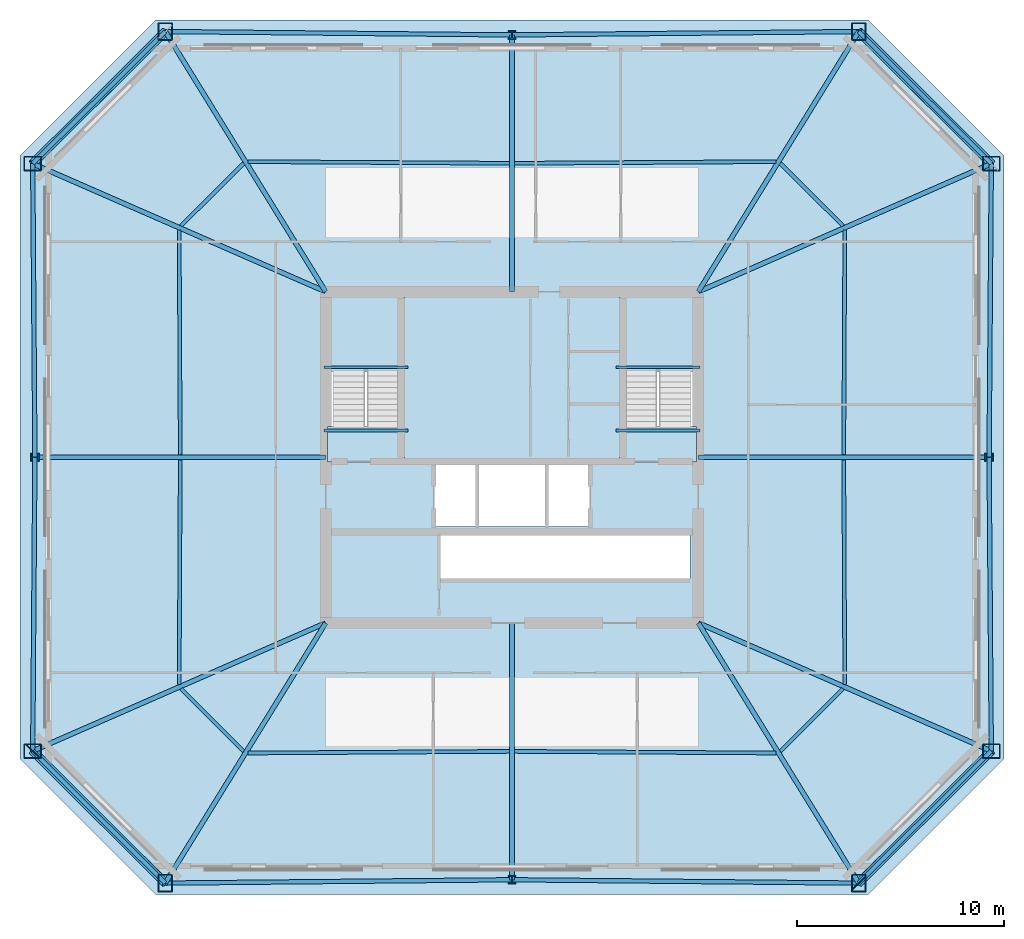
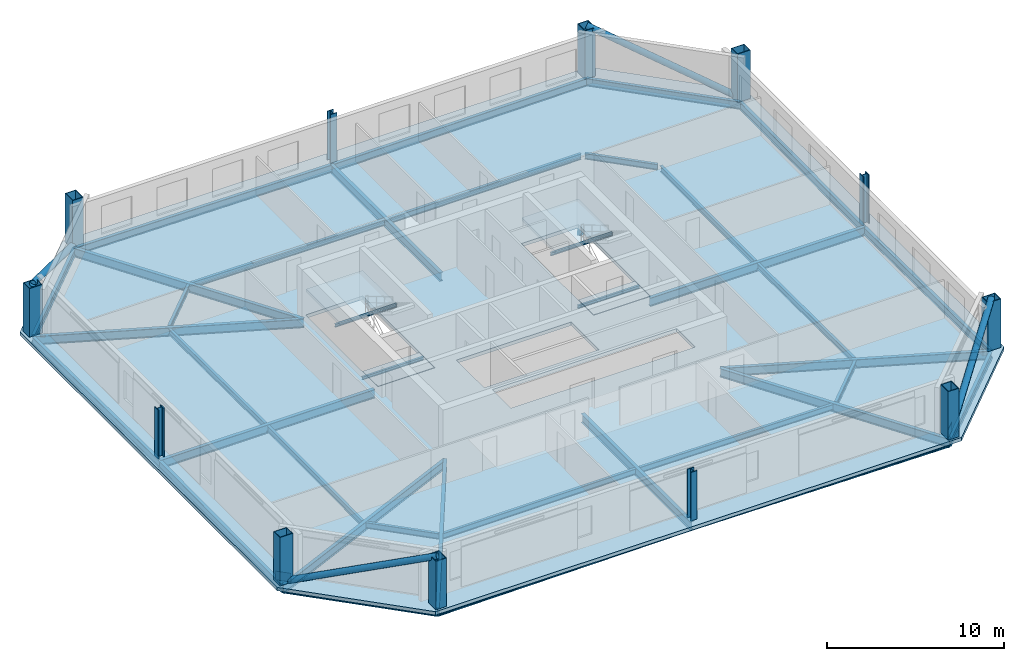
# One storey, part 1 of 7: 40 beams, 12 columns, 5 slabs, 4 members, 2 plates, 2 elements without a shape of their own.
"""IFC4 building model written with IfcOpenShell, lengths in metres."""

from ifc_helpers import new_model, si_unit, direction, frame, origin, origin_2d, place, context, subcontext, project, spatial, polyline, rectangle, hollow_rectangle, hollow_circle, i_section, outline, extrude, material, layer, layer_set, material_profile, profile_set, type_object, element, aggregate, save


model = new_model("IFC4")

# Units and contexts
model_context = context("Model", 3, precision=1e-05, world=origin(), true_north=direction((0.0, 1.0)))
body_context = subcontext(model_context, "Body", "Model", "MODEL_VIEW")
ifc_project = project(units=[si_unit("LENGTHUNIT", "METRE"), si_unit("AREAUNIT", "SQUARE_METRE"), si_unit("VOLUMEUNIT", "CUBIC_METRE"), si_unit("PLANEANGLEUNIT", "RADIAN"), si_unit("MASSUNIT", "GRAM", prefix="KILO")], contexts=[model_context])

# Site, building, storey
site_placement = place(None, origin())
site = spatial("IfcSite", under=ifc_project, at=site_placement, CompositionType="ELEMENT")
building_placement = place(site_placement, origin())
building = spatial("IfcBuilding", under=site, at=building_placement, Name="Caelvoria Tower", CompositionType="ELEMENT")
storey_placement = place(building_placement, frame((0.0, 0.0, 177.0)))
storey = spatial("IfcBuildingStorey", under=building, at=storey_placement, Name="L46", CompositionType="ELEMENT", Elevation=177.0)

# Columns
ifc_material_1 = material(Name="Structural Steel ASTM A572 Gr.50", Category="steel")
ifc_material_profile_1 = material_profile(ifc_material_1, hollow_rectangle(XDim=0.699951171875, YDim=0.85009765625, WallThickness=0.0400390625, at=origin_2d()), Name="Structural Steel ASTM A572 Gr.50")
ifc_profile_set_1 = profile_set([ifc_material_profile_1], Name="BOX850X700X40 - Structural Steel ASTM A572 Gr.50")
column_type_1 = type_object("IfcColumnType", Name="Mega Box Column 850x700x40", PredefinedType="COLUMN", material=ifc_profile_set_1)
for number, where, z_axis, x_axis, name in (
    (1, (29.254638671875, 11.438232421875, 0.0), (0.0, 0.0, 1.0), (1.0, 0.0, 0.0), "Perimeter Megaframe Column L46-P00"),
    (2, (62.745361328125, 11.438232421875, 0.0), (0.0, 0.0, 1.0), (1.0, 0.0, 0.0), "Perimeter Megaframe Column L46-P02"),
    (3, (69.14599609375, 17.816162109375, 0.0), (0.0, 0.0, 1.0), (0.0, 1.0, 0.0), "Perimeter Megaframe Column L46-P03"),
    (4, (69.14599609375, 46.183837890625, 0.0), (0.0, 0.0, 1.0), (0.0, 1.0, 0.0), "Perimeter Megaframe Column L46-P05"),
    (5, (62.745361328125, 52.561767578125, 0.0), (0.0, 0.0, 1.0), (1.0, 0.0, 0.0), "Perimeter Megaframe Column L46-P06"),
    (6, (29.254638671875, 52.561767578125, 0.0), (0.0, 0.0, 1.0), (1.0, 0.0, 0.0), "Perimeter Megaframe Column L46-P08"),
    (7, (22.85400390625, 46.183837890625, 0.0), (0.0, 0.0, 1.0), (0.0, 1.0, 0.0), "Perimeter Megaframe Column L46-P09"),
    (8, (22.85400390625, 17.816162109375, 0.0), (0.0, 0.0, 1.0), (0.0, 1.0, 0.0), "Perimeter Megaframe Column L46-P11"),
):
    element("IfcColumn", number, at=place(storey_placement, frame(where, z_axis=z_axis, x_axis=x_axis)), inside=storey, type_object=column_type_1, Name=name, PredefinedType="COLUMN", context=body_context, shape_type="SweptSolid", body=[
        extrude(hollow_rectangle(XDim=0.699951171875, YDim=0.85009765625, WallThickness=0.0400390625, at=origin_2d()), origin(), (0.0, 0.0, 1.0), 3.35791015625),
    ])
ifc_material_2 = material(Name="Structural Steel ASTM A992 Gr.50", Category="steel")
ifc_material_profile_2 = material_profile(ifc_material_2, i_section(OverallWidth=0.406005859375, OverallDepth=0.425048828125, WebThickness=0.03271484375, FlangeThickness=0.052490234375, FilletRadius=0.02490234375, at=origin_2d()), Name="Structural Steel ASTM A992 Gr.50")
ifc_profile_set_2 = profile_set([ifc_material_profile_2], Name="W360X421 - Structural Steel ASTM A992 Gr.50")
column_type_2 = type_object("IfcColumnType", Name="Mid Frame Column W360X421", PredefinedType="COLUMN", material=ifc_profile_set_2)
for number, where, z_axis, x_axis, name in (
    (9, (46.0, 11.60009765625, 0.0), (0.0, 0.0, 1.0), (1.0, 0.0, 0.0), "Perimeter Megaframe Column L46-P01"),
    (10, (69.0400390625, 32.0, 0.0), (0.0, 0.0, 1.0), (0.0, 1.0, 0.0), "Perimeter Megaframe Column L46-P04"),
    (11, (46.0, 52.39990234375, 0.0), (0.0, 0.0, 1.0), (1.0, 0.0, 0.0), "Perimeter Megaframe Column L46-P07"),
    (12, (22.9599609375, 32.0, 0.0), (0.0, 0.0, 1.0), (0.0, 1.0, 0.0), "Perimeter Megaframe Column L46-P10"),
):
    element("IfcColumn", number, at=place(storey_placement, frame(where, z_axis=z_axis, x_axis=x_axis)), inside=storey, type_object=column_type_2, Name=name, PredefinedType="COLUMN", context=body_context, shape_type="SweptSolid", body=[
        extrude(i_section(OverallWidth=0.406005859375, OverallDepth=0.425048828125, WebThickness=0.03271484375, FlangeThickness=0.052490234375, FilletRadius=0.02490234375, at=origin_2d()), origin(), (0.0, 0.0, 1.0), 3.35791015625),
    ])

# Beams
ifc_material_profile_3 = material_profile(ifc_material_2, i_section(OverallWidth=0.134033203125, OverallDepth=0.2099609375, WebThickness=0.00634765625, FlangeThickness=0.01025390625, FilletRadius=0.010009765625, at=origin_2d()), Name="Structural Steel ASTM A992 Gr.50")
ifc_profile_set_3 = profile_set([ifc_material_profile_3], Name="W200X31.3 - Structural Steel ASTM A992 Gr.50")
beam_type_1 = type_object("IfcBeamType", Name="Canopy Edge Trim Beam W200X31.3", PredefinedType="BEAM", material=ifc_profile_set_3)
for number, where, z_axis, x_axis, name in (
    (13, (36.929931640625, 36.35009765625, 1.4951171875), (1.0, 0.0, 0.0), (0.0, 1.0, 0.0), "ST-01 Half-Landing Support Beam L46"),
    (14, (36.929931640625, 33.300048828125, -0.304931640625), (1.0, 0.0, 0.0), (0.0, 1.0, 0.0), "ST-01 Floor-Landing Support Beam L46"),
    (15, (51.030029296875, 36.35009765625, 1.4951171875), (1.0, 0.0, 0.0), (0.0, 1.0, 0.0), "ST-02 Half-Landing Support Beam L46"),
    (16, (51.030029296875, 33.300048828125, -0.304931640625), (1.0, 0.0, 0.0), (0.0, 1.0, 0.0), "ST-02 Floor-Landing Support Beam L46"),
):
    element("IfcBeam", number, at=place(storey_placement, frame(where, z_axis=z_axis, x_axis=x_axis)), inside=storey, type_object=beam_type_1, Name=name, PredefinedType="BEAM", context=body_context, shape_type="SweptSolid", body=[
        extrude(i_section(OverallWidth=0.134033203125, OverallDepth=0.2099609375, WebThickness=0.00634765625, FlangeThickness=0.01025390625, FilletRadius=0.010009765625, at=origin_2d()), origin(), (0.0, 0.0, 1.0), 4.0400390625),
    ])
ifc_material_profile_4 = material_profile(ifc_material_2, i_section(OverallWidth=0.22802734375, OverallDepth=0.60302734375, WebThickness=0.010498046875, FlangeThickness=0.014892578125, FilletRadius=0.01806640625, at=origin_2d()), Name="Structural Steel ASTM A992 Gr.50")
ifc_profile_set_4 = profile_set([ifc_material_profile_4], Name="W610X101 - Structural Steel ASTM A992 Gr.50")
beam_type_2 = type_object("IfcBeamType", Name="Primary Floor Girder W610X101", PredefinedType="BEAM", material=ifc_profile_set_4)
beam_1_placement = place(storey_placement, frame((37.0, 24.0, -0.54150390625), z_axis=(-0.524836565111, -0.851203019216, 0.0), x_axis=(0.851203019216, -0.524836565111, 0.0)))
element("IfcBeam", 17, at=beam_1_placement, inside=storey, type_object=beam_type_2, Name="Primary Floor Girder L46-00", PredefinedType="BEAM", context=body_context, shape_type="SweptSolid", body=[
    extrude(i_section(OverallWidth=0.22802734375, OverallDepth=0.60302734375, WebThickness=0.010498046875, FlangeThickness=0.014892578125, FilletRadius=0.01806640625, at=origin_2d()), origin(), (0.0, 0.0, 1.0), 14.757568359375),
])
beam_2_placement = place(storey_placement, frame((46.0, 24.0, -0.54150390625), z_axis=(0.0, -1.0, 0.0), x_axis=(1.0, 0.0, 0.0)))
element("IfcBeam", 18, at=beam_2_placement, inside=storey, type_object=beam_type_2, Name="Primary Floor Girder L46-01", PredefinedType="BEAM", context=body_context, shape_type="SweptSolid", body=[
    extrude(i_section(OverallWidth=0.22802734375, OverallDepth=0.60302734375, WebThickness=0.010498046875, FlangeThickness=0.014892578125, FilletRadius=0.01806640625, at=origin_2d()), origin(), (0.0, 0.0, 1.0), 12.39990234375),
])
beam_3_placement = place(storey_placement, frame((55.0, 24.0, -0.54150390625), z_axis=(0.524836565111, -0.851203019216, 0.0), x_axis=(0.851203019216, 0.524836565111, 0.0)))
element("IfcBeam", 19, at=beam_3_placement, inside=storey, type_object=beam_type_2, Name="Primary Floor Girder L46-02", PredefinedType="BEAM", context=body_context, shape_type="SweptSolid", body=[
    extrude(i_section(OverallWidth=0.22802734375, OverallDepth=0.60302734375, WebThickness=0.010498046875, FlangeThickness=0.014892578125, FilletRadius=0.01806640625, at=origin_2d()), origin(), (0.0, 0.0, 1.0), 14.757568359375),
])
beam_4_placement = place(storey_placement, frame((55.0, 24.0, -0.54150390625), z_axis=(0.916277063291, -0.400545057749, 0.0), x_axis=(0.400545057749, 0.916277063291, 0.0)))
element("IfcBeam", 20, at=beam_4_placement, inside=storey, type_object=beam_type_2, Name="Primary Floor Girder L46-03", PredefinedType="BEAM", context=body_context, shape_type="SweptSolid", body=[
    extrude(i_section(OverallWidth=0.22802734375, OverallDepth=0.60302734375, WebThickness=0.010498046875, FlangeThickness=0.014892578125, FilletRadius=0.01806640625, at=origin_2d()), origin(), (0.0, 0.0, 1.0), 15.4384765625),
])
beam_5_placement = place(storey_placement, frame((55.0, 32.0, -0.54150390625), z_axis=(1.0, 0.0, 0.0), x_axis=(0.0, 1.0, 0.0)))
element("IfcBeam", 21, at=beam_5_placement, inside=storey, type_object=beam_type_2, Name="Primary Floor Girder L46-04", PredefinedType="BEAM", context=body_context, shape_type="SweptSolid", body=[
    extrude(i_section(OverallWidth=0.22802734375, OverallDepth=0.60302734375, WebThickness=0.010498046875, FlangeThickness=0.014892578125, FilletRadius=0.01806640625, at=origin_2d()), origin(), (0.0, 0.0, 1.0), 14.0400390625),
])
beam_6_placement = place(storey_placement, frame((55.0, 40.0, -0.54150390625), z_axis=(0.916277063291, 0.400545057749, 0.0), x_axis=(-0.400545057749, 0.916277063291, 0.0)))
element("IfcBeam", 22, at=beam_6_placement, inside=storey, type_object=beam_type_2, Name="Primary Floor Girder L46-05", PredefinedType="BEAM", context=body_context, shape_type="SweptSolid", body=[
    extrude(i_section(OverallWidth=0.22802734375, OverallDepth=0.60302734375, WebThickness=0.010498046875, FlangeThickness=0.014892578125, FilletRadius=0.01806640625, at=origin_2d()), origin(), (0.0, 0.0, 1.0), 15.4384765625),
])
beam_7_placement = place(storey_placement, frame((55.0, 40.0, -0.54150390625), z_axis=(0.524836565111, 0.851203019216, 0.0), x_axis=(-0.851203019216, 0.524836565111, 0.0)))
element("IfcBeam", 23, at=beam_7_placement, inside=storey, type_object=beam_type_2, Name="Primary Floor Girder L46-06", PredefinedType="BEAM", context=body_context, shape_type="SweptSolid", body=[
    extrude(i_section(OverallWidth=0.22802734375, OverallDepth=0.60302734375, WebThickness=0.010498046875, FlangeThickness=0.014892578125, FilletRadius=0.01806640625, at=origin_2d()), origin(), (0.0, 0.0, 1.0), 14.757568359375),
])
beam_8_placement = place(storey_placement, frame((46.0, 40.0, -0.54150390625), z_axis=(0.0, 1.0, 0.0), x_axis=(-1.0, 0.0, 0.0)))
element("IfcBeam", 24, at=beam_8_placement, inside=storey, type_object=beam_type_2, Name="Primary Floor Girder L46-07", PredefinedType="BEAM", context=body_context, shape_type="SweptSolid", body=[
    extrude(i_section(OverallWidth=0.22802734375, OverallDepth=0.60302734375, WebThickness=0.010498046875, FlangeThickness=0.014892578125, FilletRadius=0.01806640625, at=origin_2d()), origin(), (0.0, 0.0, 1.0), 12.39990234375),
])
beam_9_placement = place(storey_placement, frame((37.0, 40.0, -0.54150390625), z_axis=(-0.524836565111, 0.851203019216, 0.0), x_axis=(-0.851203019216, -0.524836565111, 0.0)))
element("IfcBeam", 25, at=beam_9_placement, inside=storey, type_object=beam_type_2, Name="Primary Floor Girder L46-08", PredefinedType="BEAM", context=body_context, shape_type="SweptSolid", body=[
    extrude(i_section(OverallWidth=0.22802734375, OverallDepth=0.60302734375, WebThickness=0.010498046875, FlangeThickness=0.014892578125, FilletRadius=0.01806640625, at=origin_2d()), origin(), (0.0, 0.0, 1.0), 14.757568359375),
])
beam_10_placement = place(storey_placement, frame((37.0, 40.0, -0.54150390625), z_axis=(-0.916277063291, 0.400545057749, 0.0), x_axis=(-0.400545057749, -0.916277063291, 0.0)))
element("IfcBeam", 26, at=beam_10_placement, inside=storey, type_object=beam_type_2, Name="Primary Floor Girder L46-09", PredefinedType="BEAM", context=body_context, shape_type="SweptSolid", body=[
    extrude(i_section(OverallWidth=0.22802734375, OverallDepth=0.60302734375, WebThickness=0.010498046875, FlangeThickness=0.014892578125, FilletRadius=0.01806640625, at=origin_2d()), origin(), (0.0, 0.0, 1.0), 15.4384765625),
])
beam_11_placement = place(storey_placement, frame((37.0, 32.0, -0.54150390625), z_axis=(-1.0, 0.0, 0.0), x_axis=(0.0, -1.0, 0.0)))
element("IfcBeam", 27, at=beam_11_placement, inside=storey, type_object=beam_type_2, Name="Primary Floor Girder L46-10", PredefinedType="BEAM", context=body_context, shape_type="SweptSolid", body=[
    extrude(i_section(OverallWidth=0.22802734375, OverallDepth=0.60302734375, WebThickness=0.010498046875, FlangeThickness=0.014892578125, FilletRadius=0.01806640625, at=origin_2d()), origin(), (0.0, 0.0, 1.0), 14.0400390625),
])
beam_12_placement = place(storey_placement, frame((37.0, 24.0, -0.54150390625), z_axis=(-0.916277063291, -0.400545057749, 0.0), x_axis=(0.400545057749, -0.916277063291, 0.0)))
element("IfcBeam", 28, at=beam_12_placement, inside=storey, type_object=beam_type_2, Name="Primary Floor Girder L46-11", PredefinedType="BEAM", context=body_context, shape_type="SweptSolid", body=[
    extrude(i_section(OverallWidth=0.22802734375, OverallDepth=0.60302734375, WebThickness=0.010498046875, FlangeThickness=0.014892578125, FilletRadius=0.01806640625, at=origin_2d()), origin(), (0.0, 0.0, 1.0), 15.4384765625),
])
ifc_material_profile_5 = material_profile(ifc_material_2, i_section(OverallWidth=0.177978515625, OverallDepth=0.406982421875, WebThickness=0.0078125, FlangeThickness=0.0126953125, FilletRadius=0.013916015625, at=origin_2d()), Name="Structural Steel ASTM A992 Gr.50")
ifc_profile_set_5 = profile_set([ifc_material_profile_5], Name="W410X60 - Structural Steel ASTM A992 Gr.50")
beam_type_3 = type_object("IfcBeamType", Name="Secondary Floor Beam W410X60", PredefinedType="BEAM", material=ifc_profile_set_5)
for number, where, z_axis, x_axis, name in (
    (29, (33.252197265625, 17.719970703125, -0.443603515625), (0.999980244302, 0.00628577799, 0.0), (-0.00628577799, 0.999980244302, 0.0), "Secondary Floor Beam L46-00"),
    (30, (46.125, 17.79931640625, -0.443603515625), (0.999980244302, -0.00628577799, 0.0), (0.00628577799, 0.999980244302, 0.0), "Secondary Floor Beam L46-01"),
):
    element("IfcBeam", number, at=place(storey_placement, frame(where, z_axis=z_axis, x_axis=x_axis)), inside=storey, type_object=beam_type_3, Name=name, PredefinedType="BEAM", context=body_context, shape_type="SweptSolid", body=[
        extrude(i_section(OverallWidth=0.177978515625, OverallDepth=0.406982421875, WebThickness=0.0078125, FlangeThickness=0.0126953125, FilletRadius=0.013916015625, at=origin_2d()), origin(), (0.0, 0.0, 1.0), 12.623046875),
    ])
beam_13_placement = place(storey_placement, frame((58.961181640625, 17.807373046875, -0.443603515625), z_axis=(0.708392660482, 0.705818559245, 0.0), x_axis=(-0.705818559245, 0.708392660482, 0.0)))
element("IfcBeam", 31, at=beam_13_placement, inside=storey, type_object=beam_type_3, Name="Secondary Floor Beam L46-02", PredefinedType="BEAM", context=body_context, shape_type="SweptSolid", body=[
    extrude(i_section(OverallWidth=0.177978515625, OverallDepth=0.406982421875, WebThickness=0.0078125, FlangeThickness=0.0126953125, FilletRadius=0.013916015625, at=origin_2d()), origin(), (0.0, 0.0, 1.0), 4.26806640625),
])
for number, where, z_axis, x_axis, name in (
    (32, (62.072509765625, 21.033203125, -0.443603515625), (-0.004796377903, 0.999988497313, 0.0), (-0.999988497313, -0.004796377903, 0.0), "Secondary Floor Beam L46-03"),
    (33, (62.0205078125, 32.125, -0.443603515625), (0.004796377903, 0.999988497313, 0.0), (-0.999988497313, 0.004796377903, 0.0), "Secondary Floor Beam L46-04"),
):
    element("IfcBeam", number, at=place(storey_placement, frame(where, z_axis=z_axis, x_axis=x_axis)), inside=storey, type_object=beam_type_3, Name=name, PredefinedType="BEAM", context=body_context, shape_type="SweptSolid", body=[
        extrude(i_section(OverallWidth=0.177978515625, OverallDepth=0.406982421875, WebThickness=0.0078125, FlangeThickness=0.0126953125, FilletRadius=0.013916015625, at=origin_2d()), origin(), (0.0, 0.0, 1.0), 10.842041015625),
    ])
beam_14_placement = place(storey_placement, frame((61.984619140625, 43.18017578125, -0.443603515625), z_axis=(-0.708392660482, 0.705818559245, 0.0), x_axis=(-0.705818559245, -0.708392660482, 0.0)))
element("IfcBeam", 34, at=beam_14_placement, inside=storey, type_object=beam_type_3, Name="Secondary Floor Beam L46-05", PredefinedType="BEAM", context=body_context, shape_type="SweptSolid", body=[
    extrude(i_section(OverallWidth=0.177978515625, OverallDepth=0.406982421875, WebThickness=0.0078125, FlangeThickness=0.0126953125, FilletRadius=0.013916015625, at=origin_2d()), origin(), (0.0, 0.0, 1.0), 4.26806640625),
])
for number, where, z_axis, x_axis, name in (
    (35, (58.747802734375, 46.280029296875, -0.443603515625), (-0.999980244302, -0.00628577799, 0.0), (0.00628577799, -0.999980244302, 0.0), "Secondary Floor Beam L46-06"),
    (36, (45.875, 46.20068359375, -0.443603515625), (-0.999980244302, 0.00628577799, 0.0), (-0.00628577799, -0.999980244302, 0.0), "Secondary Floor Beam L46-07"),
):
    element("IfcBeam", number, at=place(storey_placement, frame(where, z_axis=z_axis, x_axis=x_axis)), inside=storey, type_object=beam_type_3, Name=name, PredefinedType="BEAM", context=body_context, shape_type="SweptSolid", body=[
        extrude(i_section(OverallWidth=0.177978515625, OverallDepth=0.406982421875, WebThickness=0.0078125, FlangeThickness=0.0126953125, FilletRadius=0.013916015625, at=origin_2d()), origin(), (0.0, 0.0, 1.0), 12.623046875),
    ])
beam_15_placement = place(storey_placement, frame((33.038818359375, 46.192626953125, -0.443603515625), z_axis=(-0.708392660482, -0.705818559245, 0.0), x_axis=(0.705818559245, -0.708392660482, 0.0)))
element("IfcBeam", 37, at=beam_15_placement, inside=storey, type_object=beam_type_3, Name="Secondary Floor Beam L46-08", PredefinedType="BEAM", context=body_context, shape_type="SweptSolid", body=[
    extrude(i_section(OverallWidth=0.177978515625, OverallDepth=0.406982421875, WebThickness=0.0078125, FlangeThickness=0.0126953125, FilletRadius=0.013916015625, at=origin_2d()), origin(), (0.0, 0.0, 1.0), 4.26806640625),
])
for number, where, z_axis, x_axis, name in (
    (38, (29.927490234375, 42.966796875, -0.443603515625), (0.004796377903, -0.999988497313, 0.0), (0.999988497313, 0.004796377903, 0.0), "Secondary Floor Beam L46-09"),
    (39, (29.9794921875, 31.875, -0.443603515625), (-0.004796377903, -0.999988497313, 0.0), (0.999988497313, -0.004796377903, 0.0), "Secondary Floor Beam L46-10"),
):
    element("IfcBeam", number, at=place(storey_placement, frame(where, z_axis=z_axis, x_axis=x_axis)), inside=storey, type_object=beam_type_3, Name=name, PredefinedType="BEAM", context=body_context, shape_type="SweptSolid", body=[
        extrude(i_section(OverallWidth=0.177978515625, OverallDepth=0.406982421875, WebThickness=0.0078125, FlangeThickness=0.0126953125, FilletRadius=0.013916015625, at=origin_2d()), origin(), (0.0, 0.0, 1.0), 10.842041015625),
    ])
beam_16_placement = place(storey_placement, frame((30.015380859375, 20.81982421875, -0.443603515625), z_axis=(0.708392660482, -0.705818559245, 0.0), x_axis=(0.705818559245, 0.708392660482, 0.0)))
element("IfcBeam", 40, at=beam_16_placement, inside=storey, type_object=beam_type_3, Name="Secondary Floor Beam L46-11", PredefinedType="BEAM", context=body_context, shape_type="SweptSolid", body=[
    extrude(i_section(OverallWidth=0.177978515625, OverallDepth=0.406982421875, WebThickness=0.0078125, FlangeThickness=0.0126953125, FilletRadius=0.013916015625, at=origin_2d()), origin(), (0.0, 0.0, 1.0), 4.26806640625),
])

# Members
ifc_material_profile_6 = material_profile(ifc_material_1, hollow_circle(Radius=0.202880859375, WallThickness=0.01611328125, at=origin_2d()), Name="Structural Steel ASTM A572 Gr.50")
ifc_profile_set_6 = profile_set([ifc_material_profile_6], Name="CHS406X16 - Structural Steel ASTM A572 Gr.50")
member_type = type_object("IfcMemberType", Name="Upper Perimeter Mega Brace CHS406X16", PredefinedType="BRACE", material=ifc_profile_set_6)
for number, where, z_axis, x_axis, name in (
    (41, (62.745361328125, 11.438232421875, 0.0), (0.663941848068, 0.661586636111, 0.34854604474), (-0.705849272751, 0.708362057254, 0.0), "Perimeter Chamfer Mega Brace L46 SE"),
    (42, (69.14599609375, 46.183837890625, 0.0), (-0.663941848068, 0.661586636111, 0.34854604474), (-0.705849272751, -0.708362057254, 0.0), "Perimeter Chamfer Mega Brace L46 NE"),
    (43, (29.254638671875, 52.561767578125, 0.0), (-0.663941848068, -0.661586636111, 0.34854604474), (0.705849272751, -0.708362057254, 0.0), "Perimeter Chamfer Mega Brace L46 NW"),
    (44, (22.85400390625, 17.816162109375, 0.0), (0.663941848068, -0.661586636111, 0.34854604474), (0.705849272751, 0.708362057254, 0.0), "Perimeter Chamfer Mega Brace L46 SW"),
):
    element("IfcMember", number, at=place(storey_placement, frame(where, z_axis=z_axis, x_axis=x_axis)), inside=storey, type_object=member_type, Name=name, PredefinedType="BRACE", context=body_context, shape_type="SweptSolid", body=[
        extrude(hollow_circle(Radius=0.202880859375, WallThickness=0.01611328125, at=origin_2d()), origin(), (0.0, 0.0, 1.0), 9.640380859375),
    ])

# Beams
ifc_material_profile_7 = material_profile(ifc_material_2, i_section(OverallWidth=0.208984375, OverallDepth=0.532958984375, WebThickness=0.01025390625, FlangeThickness=0.015625, FilletRadius=0.01611328125, at=origin_2d()), Name="Structural Steel ASTM A992 Gr.50")
ifc_profile_set_7 = profile_set([ifc_material_profile_7], Name="W530X92 - Structural Steel ASTM A992 Gr.50")
beam_type_4 = type_object("IfcBeamType", Name="Upper Zone Spandrel W530X92", PredefinedType="BEAM", material=ifc_profile_set_7)
for number, where, z_axis, x_axis, name in (
    (45, (29.254638671875, 11.438232421875, -0.506591796875), (0.999953284857, 0.009665821456, 0.0), (-0.009665821456, 0.999953284857, 0.0), "Perimeter Spandrel Girder L46-00"),
    (46, (46.0, 11.60009765625, -0.506591796875), (0.999953284857, -0.009665821456, 0.0), (0.009665821456, 0.999953284857, 0.0), "Perimeter Spandrel Girder L46-01"),
):
    element("IfcBeam", number, at=place(storey_placement, frame(where, z_axis=z_axis, x_axis=x_axis)), inside=storey, type_object=beam_type_4, Name=name, PredefinedType="BEAM", context=body_context, shape_type="SweptSolid", body=[
        extrude(i_section(OverallWidth=0.208984375, OverallDepth=0.532958984375, WebThickness=0.01025390625, FlangeThickness=0.015625, FilletRadius=0.01611328125, at=origin_2d()), origin(), (0.0, 0.0, 1.0), 16.74609375),
    ])
beam_17_placement = place(storey_placement, frame((62.745361328125, 11.438232421875, -0.506591796875), z_axis=(0.708362057254, 0.705849272751, 0.0), x_axis=(-0.705849272751, 0.708362057254, 0.0)))
element("IfcBeam", 47, at=beam_17_placement, inside=storey, type_object=beam_type_4, Name="Perimeter Spandrel Girder L46-02", PredefinedType="BEAM", context=body_context, shape_type="SweptSolid", body=[
    extrude(i_section(OverallWidth=0.208984375, OverallDepth=0.532958984375, WebThickness=0.01025390625, FlangeThickness=0.015625, FilletRadius=0.01611328125, at=origin_2d()), origin(), (0.0, 0.0, 1.0), 9.035888671875),
])
for number, where, z_axis, x_axis, name in (
    (48, (69.14599609375, 17.816162109375, -0.506591796875), (-0.007470056816, 0.999972098736, 0.0), (-0.999972098736, -0.007470056816, 0.0), "Perimeter Spandrel Girder L46-03"),
    (49, (69.0400390625, 32.0, -0.506591796875), (0.007470056816, 0.999972098736, 0.0), (-0.999972098736, 0.007470056816, 0.0), "Perimeter Spandrel Girder L46-04"),
):
    element("IfcBeam", number, at=place(storey_placement, frame(where, z_axis=z_axis, x_axis=x_axis)), inside=storey, type_object=beam_type_4, Name=name, PredefinedType="BEAM", context=body_context, shape_type="SweptSolid", body=[
        extrude(i_section(OverallWidth=0.208984375, OverallDepth=0.532958984375, WebThickness=0.01025390625, FlangeThickness=0.015625, FilletRadius=0.01611328125, at=origin_2d()), origin(), (0.0, 0.0, 1.0), 14.184326171875),
    ])
beam_18_placement = place(storey_placement, frame((69.14599609375, 46.183837890625, -0.506591796875), z_axis=(-0.708362057254, 0.705849272751, 0.0), x_axis=(-0.705849272751, -0.708362057254, 0.0)))
element("IfcBeam", 50, at=beam_18_placement, inside=storey, type_object=beam_type_4, Name="Perimeter Spandrel Girder L46-05", PredefinedType="BEAM", context=body_context, shape_type="SweptSolid", body=[
    extrude(i_section(OverallWidth=0.208984375, OverallDepth=0.532958984375, WebThickness=0.01025390625, FlangeThickness=0.015625, FilletRadius=0.01611328125, at=origin_2d()), origin(), (0.0, 0.0, 1.0), 9.035888671875),
])
for number, where, z_axis, x_axis, name in (
    (51, (62.745361328125, 52.561767578125, -0.506591796875), (-0.999953284857, -0.009665821456, 0.0), (0.009665821456, -0.999953284857, 0.0), "Perimeter Spandrel Girder L46-06"),
    (52, (46.0, 52.39990234375, -0.506591796875), (-0.999953284857, 0.009665821456, 0.0), (-0.009665821456, -0.999953284857, 0.0), "Perimeter Spandrel Girder L46-07"),
):
    element("IfcBeam", number, at=place(storey_placement, frame(where, z_axis=z_axis, x_axis=x_axis)), inside=storey, type_object=beam_type_4, Name=name, PredefinedType="BEAM", context=body_context, shape_type="SweptSolid", body=[
        extrude(i_section(OverallWidth=0.208984375, OverallDepth=0.532958984375, WebThickness=0.01025390625, FlangeThickness=0.015625, FilletRadius=0.01611328125, at=origin_2d()), origin(), (0.0, 0.0, 1.0), 16.74609375),
    ])
beam_19_placement = place(storey_placement, frame((29.254638671875, 52.561767578125, -0.506591796875), z_axis=(-0.708362057254, -0.705849272751, 0.0), x_axis=(0.705849272751, -0.708362057254, 0.0)))
element("IfcBeam", 53, at=beam_19_placement, inside=storey, type_object=beam_type_4, Name="Perimeter Spandrel Girder L46-08", PredefinedType="BEAM", context=body_context, shape_type="SweptSolid", body=[
    extrude(i_section(OverallWidth=0.208984375, OverallDepth=0.532958984375, WebThickness=0.01025390625, FlangeThickness=0.015625, FilletRadius=0.01611328125, at=origin_2d()), origin(), (0.0, 0.0, 1.0), 9.035888671875),
])
for number, where, z_axis, x_axis, name in (
    (54, (22.85400390625, 46.183837890625, -0.506591796875), (0.007470056816, -0.999972098736, 0.0), (0.999972098736, 0.007470056816, 0.0), "Perimeter Spandrel Girder L46-09"),
    (55, (22.9599609375, 32.0, -0.506591796875), (-0.007470056816, -0.999972098736, 0.0), (0.999972098736, -0.007470056816, 0.0), "Perimeter Spandrel Girder L46-10"),
):
    element("IfcBeam", number, at=place(storey_placement, frame(where, z_axis=z_axis, x_axis=x_axis)), inside=storey, type_object=beam_type_4, Name=name, PredefinedType="BEAM", context=body_context, shape_type="SweptSolid", body=[
        extrude(i_section(OverallWidth=0.208984375, OverallDepth=0.532958984375, WebThickness=0.01025390625, FlangeThickness=0.015625, FilletRadius=0.01611328125, at=origin_2d()), origin(), (0.0, 0.0, 1.0), 14.184326171875),
    ])
beam_20_placement = place(storey_placement, frame((22.85400390625, 17.816162109375, -0.506591796875), z_axis=(0.708362057254, -0.705849272751, 0.0), x_axis=(0.705849272751, 0.708362057254, 0.0)))
element("IfcBeam", 56, at=beam_20_placement, inside=storey, type_object=beam_type_4, Name="Perimeter Spandrel Girder L46-11", PredefinedType="BEAM", context=body_context, shape_type="SweptSolid", body=[
    extrude(i_section(OverallWidth=0.208984375, OverallDepth=0.532958984375, WebThickness=0.01025390625, FlangeThickness=0.015625, FilletRadius=0.01611328125, at=origin_2d()), origin(), (0.0, 0.0, 1.0), 9.035888671875),
])

# Plates
ifc_layer_1 = layer(ifc_material_1, 0.0400390625, Name="Structural Steel ASTM A572 Gr.50")
ifc_layer_set_1 = layer_set([ifc_layer_1], Name="Megaframe Node Gusset Plate 900x600x40 - Structural Steel ASTM A572 Gr.50")
plate_type = type_object("IfcPlateType", Name="Megaframe Node Gusset Plate 900x600x40", PredefinedType="USERDEFINED", material=ifc_layer_set_1)
for number, where, z_axis, x_axis, name in (
    (57, (62.745361328125, 11.438232421875, 0.02001953125), (0.0, 0.0, 1.0), (0.708373100352, 0.705838190166, 0.0), "Chamfer Mega Brace Gusset L46 SE"),
    (58, (22.85400390625, 17.816162109375, 0.02001953125), (0.0, 0.0, 1.0), (0.708373100352, -0.705838190166, 0.0), "Chamfer Mega Brace Gusset L46 SW"),
):
    element("IfcPlate", number, at=place(storey_placement, frame(where, z_axis=z_axis, x_axis=x_axis)), inside=storey, type_object=plate_type, Name=name, ObjectType="GUSSET_PLATE", PredefinedType="USERDEFINED", context=body_context, shape_type="SweptSolid", body=[
        extrude(rectangle(XDim=0.89990234375, YDim=0.0400390625, at=origin_2d()), origin(), (0.0, 0.0, 1.0), 0.60009765625),
    ])

# Stair, slabs
ifc_material_3 = material(Name="Concrete C40/50", Category="concrete")
stair_type = type_object("IfcStairType", Name="Core Smokeproof Dogleg Stair Concrete C40/50", PredefinedType="HALF_TURN_STAIR", material=ifc_material_3)
stair_1_placement = place(storey_placement, origin())
stair_1 = element("IfcStair", 59, at=stair_1_placement, inside=storey, type_object=stair_type, Name="ST-01 Smokeproof Exit Stair L46", PredefinedType="HALF_TURN_STAIR")
ifc_layer_2 = layer(ifc_material_3, 0.199951171875, Name="Concrete C40/50")
ifc_layer_set_2 = layer_set([ifc_layer_2], Name="Stair Half and Floor Landing Slab 200 Concrete C40/50 - Concrete C40/50")
slab_type_1 = type_object("IfcSlabType", Name="Stair Half and Floor Landing Slab 200 Concrete C40/50", PredefinedType="LANDING", material=ifc_layer_set_2)
slab_1_placement = place(storey_placement, frame((0.0, 0.0, -0.199951171875)))
slab_1 = element("IfcSlab", 60, at=slab_1_placement, type_object=slab_type_1, Name="ST-01 landing 1", PredefinedType="LANDING", context=body_context, shape_type="SweptSolid", body=[
    extrude(outline(polyline([(37.10009765625, 31.77001953125), (40.800048828125, 31.77001953125), (40.800048828125, 33.5), (37.10009765625, 33.5), (37.10009765625, 31.77001953125)])), origin(), (0.0, 0.0, 1.0), 0.199951171875),
])
slab_2_placement = place(storey_placement, frame((0.0, 0.0, 1.60009765625)))
slab_2 = element("IfcSlab", 61, at=slab_2_placement, type_object=slab_type_1, Name="ST-01 landing 2", PredefinedType="LANDING", context=body_context, shape_type="SweptSolid", body=[
    extrude(outline(polyline([(37.10009765625, 36.14990234375), (40.800048828125, 36.14990234375), (40.800048828125, 39.89990234375), (37.10009765625, 39.89990234375), (37.10009765625, 36.14990234375)])), origin(), (0.0, 0.0, 1.0), 0.199951171875),
])
aggregate(stair_1, [slab_1, slab_2])

stair_2_placement = place(storey_placement, origin())
stair_2 = element("IfcStair", 62, at=stair_2_placement, inside=storey, type_object=stair_type, Name="ST-02 Smokeproof Exit Stair L46", PredefinedType="HALF_TURN_STAIR")
slab_3_placement = place(storey_placement, frame((0.0, 0.0, -0.199951171875)))
slab_3 = element("IfcSlab", 63, at=slab_3_placement, type_object=slab_type_1, Name="ST-02 landing 1", PredefinedType="LANDING", context=body_context, shape_type="SweptSolid", body=[
    extrude(outline(polyline([(51.199951171875, 31.77001953125), (54.89990234375, 31.77001953125), (54.89990234375, 33.5), (51.199951171875, 33.5), (51.199951171875, 31.77001953125)])), origin(), (0.0, 0.0, 1.0), 0.199951171875),
])
slab_4_placement = place(storey_placement, frame((0.0, 0.0, 1.60009765625)))
slab_4 = element("IfcSlab", 64, at=slab_4_placement, type_object=slab_type_1, Name="ST-02 landing 2", PredefinedType="LANDING", context=body_context, shape_type="SweptSolid", body=[
    extrude(outline(polyline([(51.199951171875, 36.14990234375), (54.89990234375, 36.14990234375), (54.89990234375, 39.89990234375), (51.199951171875, 39.89990234375), (51.199951171875, 36.14990234375)])), origin(), (0.0, 0.0, 1.0), 0.199951171875),
])
aggregate(stair_2, [slab_3, slab_4])

# Slab
ifc_layer_3 = layer(ifc_material_3, 0.239990234375, Name="Concrete C40/50")
ifc_layer_set_3 = layer_set([ifc_layer_3], Name="Tower Composite Office Slab 240 - Concrete C40/50")
slab_type_2 = type_object("IfcSlabType", Name="Tower Composite Office Slab 240", PredefinedType="FLOOR", material=ifc_layer_set_3)
slab_5_placement = place(storey_placement, frame((0.0, 0.0, -0.239990234375)))
element("IfcSlab", 65, at=slab_5_placement, inside=storey, type_object=slab_type_2, Name="Level L46 Structural Floor Slab", PredefinedType="FLOOR", context=body_context, shape_type="SweptSolid", body=[
    extrude(outline(polyline([(28.800048828125, 10.8798828125), (63.199951171875, 10.8798828125), (69.760009765625, 17.43994140625), (69.760009765625, 46.56005859375), (63.199951171875, 53.1201171875), (28.800048828125, 53.1201171875), (22.239990234375, 46.56005859375), (22.239990234375, 17.43994140625), (28.800048828125, 10.8798828125)]), holes=[polyline([(37.080078125, 31.75), (40.820068359375, 31.75), (40.820068359375, 39.919921875), (37.080078125, 39.919921875), (37.080078125, 31.75)]), polyline([(51.179931640625, 31.75), (54.919921875, 31.75), (54.919921875, 39.919921875), (51.179931640625, 39.919921875), (51.179931640625, 31.75)]), polyline([(42.25, 28.64990234375), (49.75, 28.64990234375), (49.75, 31.800048828125), (42.25, 31.800048828125), (42.25, 28.64990234375)]), polyline([(42.550048828125, 26.14990234375), (54.60009765625, 26.14990234375), (54.60009765625, 28.25), (42.550048828125, 28.25), (42.550048828125, 26.14990234375)])]), origin(), (0.0, 0.0, 1.0), 0.239990234375),
])

save(model, "model.ifc")
